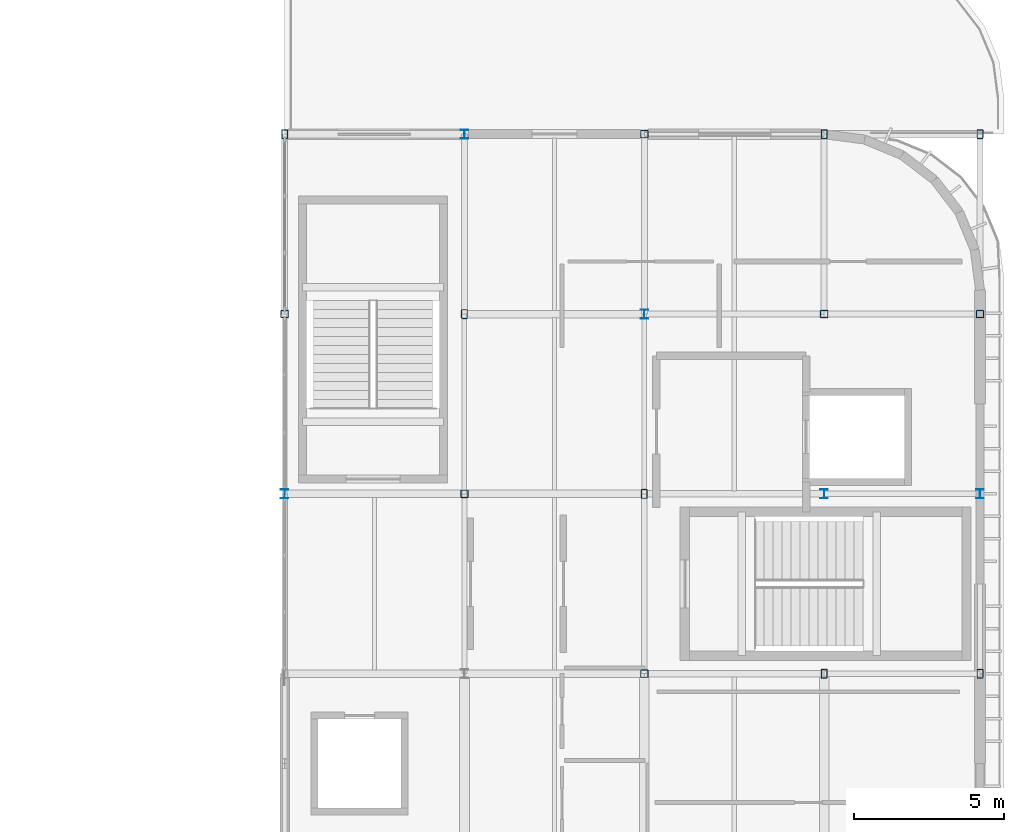
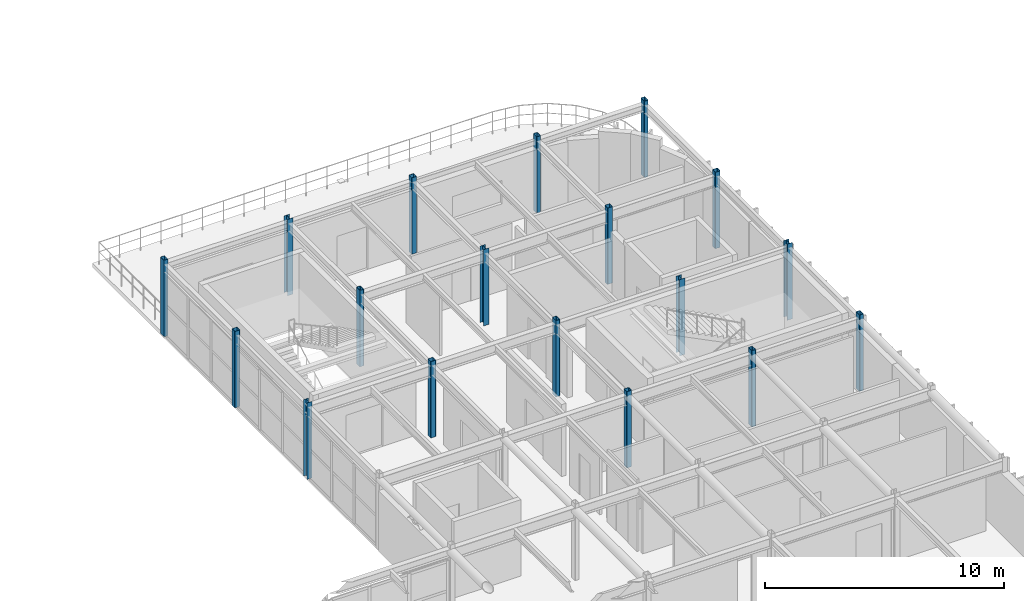
# One storey, part 3 of 27: 18 columns.
"""IFC4 building model written with IfcOpenShell, lengths in metres."""

from ifc_helpers import new_model, si_unit, direction, frame, origin, origin_2d, place, context, subcontext, project, spatial, hollow_rectangle, i_section, extrude, material, material_profile, profile_set, type_object, element, save


model = new_model("IFC4")

# Units and contexts
model_context = context("Model", 3, precision=1e-05, world=origin(), true_north=direction((0.0, 1.0)))
body_context = subcontext(model_context, "Body", "Model", "MODEL_VIEW")
ifc_project = project(units=[si_unit("LENGTHUNIT", "METRE"), si_unit("AREAUNIT", "SQUARE_METRE"), si_unit("VOLUMEUNIT", "CUBIC_METRE"), si_unit("PLANEANGLEUNIT", "RADIAN"), si_unit("MASSUNIT", "GRAM", prefix="KILO")], contexts=[model_context])

# Site, building, storey
site_placement = place(None, origin())
site = spatial("IfcSite", under=ifc_project, at=site_placement, CompositionType="ELEMENT")
building_placement = place(site_placement, origin())
building = spatial("IfcBuilding", under=site, at=building_placement, Name="Varnakota Square Police Headquarters", CompositionType="ELEMENT")
storey_placement = place(building_placement, frame((0.0, 0.0, 26.10009765625)))
storey = spatial("IfcBuildingStorey", under=building, at=storey_placement, Name="L06", CompositionType="ELEMENT", Elevation=26.10009765625)

# Columns
ifc_material = material(Name="Steel IS 2062 Grade 350", Category="steel")
ifc_material_profile_1 = material_profile(ifc_material, i_section(OverallWidth=0.25, OverallDepth=0.300048828125, WebThickness=0.009521484375, FlangeThickness=0.010498046875, FilletRadius=0.011962890625, at=origin_2d()), Name="ISHB 300")
ifc_profile_set_1 = profile_set([ifc_material_profile_1], Name="Steel IS 2062 Grade 350")
column_type_1 = type_object("IfcColumnType", Name="COL-ISHB300", PredefinedType="COLUMN", material=ifc_profile_set_1)
for number, where, z_axis, x_axis, name in (
    (1, (138.0, 27.0, 0.0), (0.0, 0.0, 1.0), (1.0, 0.0, 0.0), "Column X1380-Y0270 L06"),
    (2, (144.0, 39.0, 0.0), (0.0, 0.0, 1.0), (1.0, 0.0, 0.0), "Column X1440-Y0390 L06"),
    (3, (150.0, 33.0, 0.0), (0.0, 0.0, 1.0), (1.0, 0.0, 0.0), "Column X1500-Y0330 L06"),
    (4, (156.0, 27.0, 0.0), (0.0, 0.0, 1.0), (1.0, 0.0, 0.0), "Column X1560-Y0270 L06"),
    (5, (161.199951171875, 27.0, 0.0), (0.0, 0.0, 1.0), (1.0, 0.0, 0.0), "Column X1612-Y0270 L06"),
):
    element("IfcColumn", number, at=place(storey_placement, frame(where, z_axis=z_axis, x_axis=x_axis)), inside=storey, type_object=column_type_1, Name=name, PredefinedType="COLUMN", context=body_context, shape_type="SweptSolid", body=[
        extrude(i_section(OverallWidth=0.25, OverallDepth=0.300048828125, WebThickness=0.009521484375, FlangeThickness=0.010498046875, FilletRadius=0.011962890625, at=origin_2d()), origin(), (0.0, 0.0, 1.0), 3.89990234375),
    ])
ifc_material_profile_2 = material_profile(ifc_material, hollow_rectangle(XDim=0.199951171875, YDim=0.300048828125, WallThickness=0.011962890625, InnerFilletRadius=0.011962890625, OuterFilletRadius=0.02392578125, at=origin_2d()), Name="RHS 300x200x12")
ifc_profile_set_2 = profile_set([ifc_material_profile_2], Name="Steel IS 2062 Grade 350")
column_type_2 = type_object("IfcColumnType", Name="COL-RHS300", PredefinedType="COLUMN", material=ifc_profile_set_2)
for number, where, z_axis, x_axis, name in (
    (6, (138.0, 39.0, 0.0), (0.0, 0.0, 1.0), (1.0, 0.0, 0.0), "Column X1380-Y0390 L06"),
    (7, (144.0, 33.0, 0.0), (0.0, 0.0, 1.0), (1.0, 0.0, 0.0), "Column X1440-Y0330 L06"),
    (8, (150.0, 27.0, 0.0), (0.0, 0.0, 1.0), (1.0, 0.0, 0.0), "Column X1500-Y0270 L06"),
    (9, (156.0, 21.0, 0.0), (0.0, 0.0, 1.0), (1.0, 0.0, 0.0), "Column X1560-Y0210 L06"),
    (10, (156.0, 39.0, 0.0), (0.0, 0.0, 1.0), (1.0, 0.0, 0.0), "Column X1560-Y0390 L06"),
    (11, (161.199951171875, 21.0, 0.0), (0.0, 0.0, 1.0), (1.0, 0.0, 0.0), "Column X1612-Y0210 L06"),
    (12, (161.199951171875, 39.0, 0.0), (0.0, 0.0, 1.0), (1.0, 0.0, 0.0), "Column X1612-Y0390 L06"),
):
    element("IfcColumn", number, at=place(storey_placement, frame(where, z_axis=z_axis, x_axis=x_axis)), inside=storey, type_object=column_type_2, Name=name, PredefinedType="COLUMN", context=body_context, shape_type="SweptSolid", body=[
        extrude(hollow_rectangle(XDim=0.199951171875, YDim=0.300048828125, WallThickness=0.011962890625, InnerFilletRadius=0.011962890625, OuterFilletRadius=0.02392578125, at=origin_2d()), origin(), (0.0, 0.0, 1.0), 3.89990234375),
    ])
ifc_material_profile_3 = material_profile(ifc_material, hollow_rectangle(XDim=0.25, YDim=0.25, WallThickness=0.011962890625, InnerFilletRadius=0.011962890625, OuterFilletRadius=0.02392578125, at=origin_2d()), Name="SHS 250x250x12")
ifc_profile_set_3 = profile_set([ifc_material_profile_3], Name="Steel IS 2062 Grade 350")
column_type_3 = type_object("IfcColumnType", Name="COL-SHS250", PredefinedType="COLUMN", material=ifc_profile_set_3)
for number, where, z_axis, x_axis, name in (
    (13, (138.0, 33.0, 0.0), (0.0, 0.0, 1.0), (1.0, 0.0, 0.0), "Column X1380-Y0330 L06"),
    (14, (144.0, 27.0, 0.0), (0.0, 0.0, 1.0), (1.0, 0.0, 0.0), "Column X1440-Y0270 L06"),
    (15, (150.0, 21.0, 0.0), (0.0, 0.0, 1.0), (1.0, 0.0, 0.0), "Column X1500-Y0210 L06"),
    (16, (150.0, 39.0, 0.0), (0.0, 0.0, 1.0), (1.0, 0.0, 0.0), "Column X1500-Y0390 L06"),
    (17, (156.0, 33.0, 0.0), (0.0, 0.0, 1.0), (1.0, 0.0, 0.0), "Column X1560-Y0330 L06"),
    (18, (161.199951171875, 33.0, 0.0), (0.0, 0.0, 1.0), (1.0, 0.0, 0.0), "Column X1612-Y0330 L06"),
):
    element("IfcColumn", number, at=place(storey_placement, frame(where, z_axis=z_axis, x_axis=x_axis)), inside=storey, type_object=column_type_3, Name=name, PredefinedType="COLUMN", context=body_context, shape_type="SweptSolid", body=[
        extrude(hollow_rectangle(XDim=0.25, YDim=0.25, WallThickness=0.011962890625, InnerFilletRadius=0.011962890625, OuterFilletRadius=0.02392578125, at=origin_2d()), origin(), (0.0, 0.0, 1.0), 3.89990234375),
    ])

save(model, "model.ifc")
